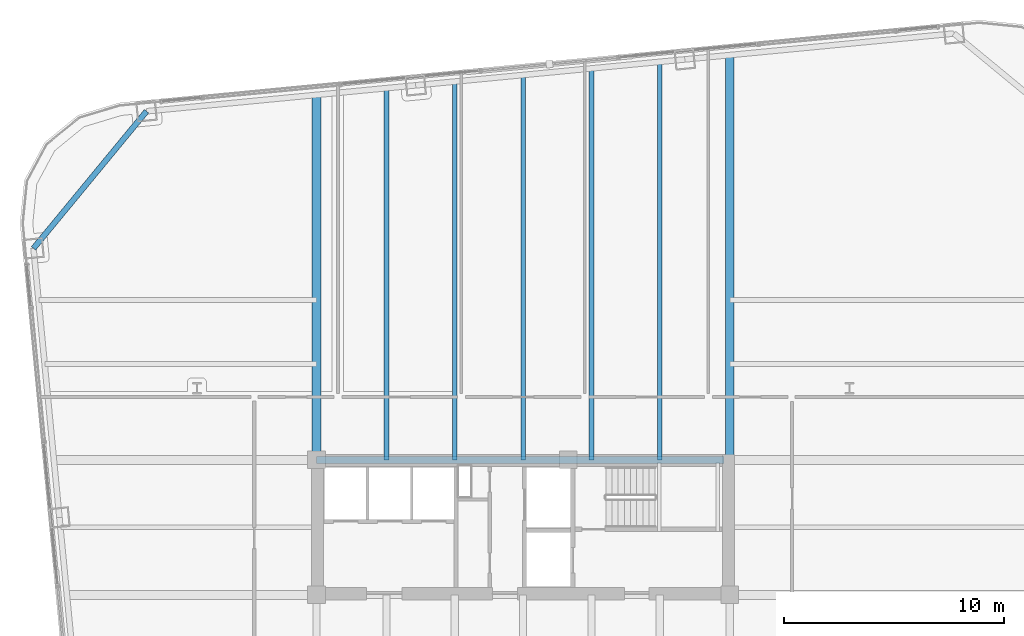
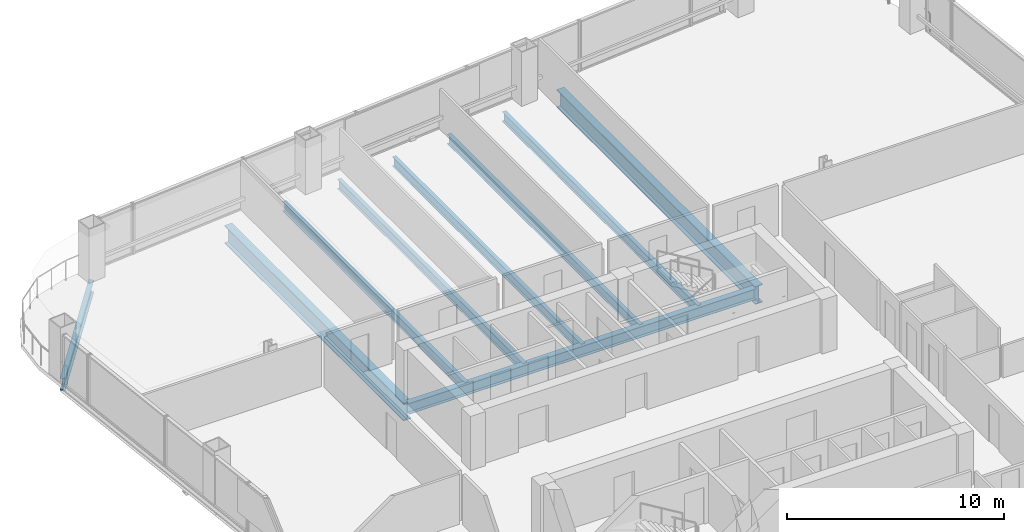
# One storey, part 21 of 34: 9 beams.
"""IFC4 building model written with IfcOpenShell, lengths in metres."""

import ifcopenshell
import ifcopenshell.guid

model = None  # the IFC model being written
_history = None  # IfcOwnerHistory: only IFC2X3 demands one
_inside = {}  # id of a spatial element -> (the spatial element, [elements in it])
_under = {}  # id of a project, library or spatial element -> (it, [spatial elements below it])
_declared = {}  # id of a project -> (the project, [libraries it declares])
_typed = {}  # id of a type object -> (the type object, [elements of that type])
_made_of = {}  # id of a material, layer set ... -> (it, [elements and type objects made of it])


def new_model(schema):
    """Start an empty IFC model of exactly this schema.

    Asked for "IFC4X3", IfcOpenShell would pick the latest addendum, in which some entities
    have other attributes; the version numbers below select the first issue.
    IFC2X3 requires an IfcOwnerHistory on every rooted entity: one is made here for all.
    """
    global model, _history
    if schema == "IFC4X3":
        model = ifcopenshell.file(schema_version=(4, 3, 0, 0))
    else:
        model = ifcopenshell.file(schema=schema)
    _inside.clear()
    _under.clear()
    _declared.clear()
    _typed.clear()
    _made_of.clear()
    _history = None
    if model.schema == "IFC2X3":
        org = make("IfcOrganization", Name="unknown")
        user = make(
            "IfcPersonAndOrganization",
            ThePerson=make("IfcPerson", FamilyName="unknown"),
            TheOrganization=org,
        )
        app = make(
            "IfcApplication",
            ApplicationDeveloper=org,
            Version="unknown",
            ApplicationFullName="unknown",
            ApplicationIdentifier="unknown",
        )
        _history = make(
            "IfcOwnerHistory",
            OwningUser=user,
            OwningApplication=app,
            ChangeAction="ADDED",
            CreationDate=0,
        )
    return model


def make(cls, **values):
    """One entity of the class cls with the attributes given. An attribute that is None is left unset."""
    return model.create_entity(
        cls, **{name: value for name, value in values.items() if value is not None}
    )


def rooted(cls, **values):
    """An entity with a GlobalId (a new one), such as an element, a storey or a relation."""
    return make(cls, GlobalId=ifcopenshell.guid.new(), OwnerHistory=_history, **values)


def si_unit(unit_type, name, prefix=None):
    """IfcSIUnit, for example si_unit("LENGTHUNIT", "METRE", prefix="MILLI")."""
    return make("IfcSIUnit", UnitType=unit_type, Prefix=prefix, Name=name)


def assignment(units):
    """IfcUnitAssignment: the units of a project."""
    return None if units is None else make("IfcUnitAssignment", Units=units)


def point(xyz):
    """IfcCartesianPoint."""
    return None if xyz is None else make("IfcCartesianPoint", Coordinates=xyz)


def direction(xyz):
    """IfcDirection."""
    return None if xyz is None else make("IfcDirection", DirectionRatios=xyz)


def frame(location, z_axis=None, x_axis=None):
    """IfcAxis2Placement3D, a coordinate frame: its origin and axes. An axis left out is left unset."""
    return make(
        "IfcAxis2Placement3D",
        Location=point(location),
        Axis=direction(z_axis),
        RefDirection=direction(x_axis),
    )


def frame_2d(location, x_axis=None):
    """IfcAxis2Placement2D, a coordinate frame in the plane: its origin and x axis."""
    return make(
        "IfcAxis2Placement2D", Location=point(location), RefDirection=direction(x_axis)
    )


def origin():
    """The frame at (0, 0, 0) with its axes left unset."""
    return frame((0.0, 0.0, 0.0))


def origin_2d():
    """The frame at (0, 0) in the plane with its x axis left unset."""
    return frame_2d((0.0, 0.0))


def place(relative_to, where):
    """IfcLocalPlacement: puts the frame where relative to a parent placement (None: the world)."""
    return make(
        "IfcLocalPlacement", PlacementRelTo=relative_to, RelativePlacement=where
    )


def context(
    kind, dimensions, precision=None, world=None, true_north=None, identifier=None
):
    """IfcGeometricRepresentationContext, for example the 3D "Model" context."""
    return make(
        "IfcGeometricRepresentationContext",
        ContextIdentifier=identifier,
        ContextType=kind,
        CoordinateSpaceDimension=dimensions,
        Precision=precision,
        WorldCoordinateSystem=world,
        TrueNorth=true_north,
    )


def subcontext(parent, identifier, kind, view, scale=None):
    """IfcGeometricRepresentationSubContext, for example "Body" below "Model"."""
    return make(
        "IfcGeometricRepresentationSubContext",
        ContextIdentifier=identifier,
        ContextType=kind,
        ParentContext=parent,
        TargetScale=scale,
        TargetView=view,
    )


def project(units=None, contexts=None):
    """IfcProject with its units and contexts."""
    return rooted(
        "IfcProject",
        Name="project",
        RepresentationContexts=contexts,
        UnitsInContext=assignment(units),
    )


def spatial(cls, under=None, at=None, **own):
    """A site, building, storey or space (cls), placed at a placement, below another one or the project."""
    s = rooted(cls, ObjectPlacement=at, **own)
    if under is not None:
        _under.setdefault(under.id(), (under, []))[1].append(s)
    return s


def profile(cls, at=None, kind="AREA", **sizes):
    """A parametric profile (cls). Its sizes go by their IFC names, for example OverallWidth=200.0."""
    return make(cls, ProfileType=kind, Position=at, **sizes)


def i_section(**sizes):
    """IfcIShapeProfileDef."""
    return profile("IfcIShapeProfileDef", **sizes)


def extrude(swept, where, along, depth):
    """IfcExtrudedAreaSolid: the profile swept, set in the frame where, extruded along a direction by depth."""
    return make(
        "IfcExtrudedAreaSolid",
        SweptArea=swept,
        Position=where,
        ExtrudedDirection=direction(along),
        Depth=depth,
    )


def shape(context_of_items, identifier, shape_type, items):
    """IfcShapeRepresentation: the items that make up one representation, for example the "Body"."""
    return make(
        "IfcShapeRepresentation",
        ContextOfItems=context_of_items,
        RepresentationIdentifier=identifier,
        RepresentationType=shape_type,
        Items=items,
    )


def material(Name=None, Category=None):
    """IfcMaterial."""
    return make("IfcMaterial", Name=Name, Category=Category)


def material_profile(
    of_material, cross_section, Name=None, Category=None, Priority=None
):
    """IfcMaterialProfile: a cross section and its material."""
    return make(
        "IfcMaterialProfile",
        Name=Name,
        Material=of_material,
        Profile=cross_section,
        Priority=Priority,
        Category=Category,
    )


def profile_set(profiles, Name=None, composite=None):
    """IfcMaterialProfileSet."""
    return make(
        "IfcMaterialProfileSet",
        Name=Name,
        MaterialProfiles=profiles,
        CompositeProfile=composite,
    )


def made_of(thing, what):
    """Note that an element or type object is made of a material, layer set ...; save() writes the relation."""
    if what is not None:
        _made_of.setdefault(what.id(), (what, []))[1].append(thing)
    return thing


def type_object(cls, material=None, **own):
    """A type object (cls), such as IfcWallType, which elements share."""
    return made_of(rooted(cls, **own), material)


def element(
    cls,
    number,
    at=None,
    inside=None,
    cuts=None,
    type_object=None,
    material=None,
    context=None,
    identifier="Body",
    shape_type=None,
    held_by="IfcProductDefinitionShape",
    body=None,
    shapes=None,
    **own,
):
    """One element of the class cls, such as IfcWall. Its Tag is "e" and its number.

    at: its placement. inside: the storey or other place that contains it. cuts: it is an
    opening in that element (IfcRelVoidsElement). A single representation is given by context,
    identifier, shape_type and body (its items); several are given by shapes. held_by: the class
    of the entity that holds the representations. save() writes the other relations.
    """
    e = rooted(cls, Tag="e%d" % number, ObjectPlacement=at, **own)
    if body is not None:
        shapes = [shape(context, identifier, shape_type, body)]
    if shapes is not None:
        e.Representation = make(held_by, Representations=shapes)
    if inside is not None:
        _inside.setdefault(inside.id(), (inside, []))[1].append(e)
    if cuts is not None:
        rooted(
            "IfcRelVoidsElement", RelatingBuildingElement=cuts, RelatedOpeningElement=e
        )
    if type_object is not None:
        _typed.setdefault(type_object.id(), (type_object, []))[1].append(e)
    return made_of(e, material)


def aggregate(whole, parts):
    """IfcRelAggregates: a whole, such as a stair, and the parts it consists of."""
    return rooted("IfcRelAggregates", RelatingObject=whole, RelatedObjects=parts)


def save(model, path):
    """Write the relations noted so far, then the file.

    IfcRelAggregates (storeys below a building ...), IfcRelContainedInSpatialStructure (elements
    in a storey), IfcRelDefinesByType, IfcRelAssociatesMaterial and IfcRelDeclares: one each for
    every whole, place, type object, material and project.
    """
    for whole, parts in _under.values():
        aggregate(whole, parts)
    for where, things in _inside.values():
        rooted(
            "IfcRelContainedInSpatialStructure",
            RelatedElements=things,
            RelatingStructure=where,
        )
    for kind, things in _typed.values():
        rooted("IfcRelDefinesByType", RelatedObjects=things, RelatingType=kind)
    for what, things in _made_of.values():
        rooted("IfcRelAssociatesMaterial", RelatedObjects=things, RelatingMaterial=what)
    for by, libraries in _declared.values():
        rooted("IfcRelDeclares", RelatingContext=by, RelatedDefinitions=libraries)
    model.write(path)


model = new_model("IFC4")

# Units and contexts
model_context = context("Model", 3, precision=1e-05, world=origin(), true_north=direction((0.0, 1.0)))
body_context = subcontext(model_context, "Body", "Model", "MODEL_VIEW")
ifc_project = project(units=[si_unit("LENGTHUNIT", "METRE"), si_unit("AREAUNIT", "SQUARE_METRE"), si_unit("VOLUMEUNIT", "CUBIC_METRE"), si_unit("PLANEANGLEUNIT", "RADIAN"), si_unit("MASSUNIT", "GRAM", prefix="KILO")], contexts=[model_context])

# Site, building, storey
site_placement = place(None, origin())
site = spatial("IfcSite", under=ifc_project, at=site_placement, CompositionType="ELEMENT")
building_placement = place(site_placement, origin())
building = spatial("IfcBuilding", under=site, at=building_placement, Name="Qhalaya Broadcast Tower", CompositionType="ELEMENT")
storey_placement = place(building_placement, frame((0.0, 0.0, 78.60009765625)))
storey = spatial("IfcBuildingStorey", under=building, at=storey_placement, Name="L22", CompositionType="ELEMENT", Elevation=78.60009765625)

# Beams
ifc_material = material(Name="Structural Steel ASTM A992 Grade 50", Category="steel")
ifc_material_profile_1 = material_profile(ifc_material, i_section(OverallWidth=0.2099609375, OverallDepth=0.535888671875, WebThickness=0.010986328125, FlangeThickness=0.017333984375, at=origin_2d()), Name="W21X68")
ifc_profile_set_1 = profile_set([ifc_material_profile_1], Name="Structural Steel ASTM A992 Grade 50")
beam_type_1 = type_object("IfcBeamType", Name="Composite Floor Joist J02", PredefinedType="JOIST", material=ifc_profile_set_1)
beam_1_placement = place(storey_placement, frame((-6.199951171875, 9.949951171875, -0.488037109375), z_axis=(0.0, 1.0, 0.0), x_axis=(-1.0, 0.0, 0.0)))
element("IfcBeam", 1, at=beam_1_placement, inside=storey, type_object=beam_type_1, Name="L22 J02 L22-JNN1-1", PredefinedType="JOIST", context=body_context, shape_type="SweptSolid", body=[
    extrude(i_section(OverallWidth=0.2099609375, OverallDepth=0.535888671875, WebThickness=0.010986328125, FlangeThickness=0.017333984375, at=origin_2d()), origin(), (0.0, 0.0, 1.0), 16.843505859375),
])
beam_2_placement = place(storey_placement, frame((-3.10009765625, 9.949951171875, -0.488037109375), z_axis=(0.0, 1.0, 0.0), x_axis=(-1.0, 0.0, 0.0)))
element("IfcBeam", 2, at=beam_2_placement, inside=storey, type_object=beam_type_1, Name="L22 J02 L22-JNN2-1", PredefinedType="JOIST", context=body_context, shape_type="SweptSolid", body=[
    extrude(i_section(OverallWidth=0.2099609375, OverallDepth=0.535888671875, WebThickness=0.010986328125, FlangeThickness=0.017333984375, at=origin_2d()), origin(), (0.0, 0.0, 1.0), 17.14208984375),
])
beam_3_placement = place(storey_placement, frame((0.0, 9.949951171875, -0.488037109375), z_axis=(0.0, 1.0, 0.0), x_axis=(-1.0, 0.0, 0.0)))
element("IfcBeam", 3, at=beam_3_placement, inside=storey, type_object=beam_type_1, Name="L22 J02 L22-JNN3-1", PredefinedType="JOIST", context=body_context, shape_type="SweptSolid", body=[
    extrude(i_section(OverallWidth=0.2099609375, OverallDepth=0.535888671875, WebThickness=0.010986328125, FlangeThickness=0.017333984375, at=origin_2d()), origin(), (0.0, 0.0, 1.0), 17.4404296875),
])
beam_4_placement = place(storey_placement, frame((3.10009765625, 9.949951171875, -0.488037109375), z_axis=(0.0, 1.0, 0.0), x_axis=(-1.0, 0.0, 0.0)))
element("IfcBeam", 4, at=beam_4_placement, inside=storey, type_object=beam_type_1, Name="L22 J02 L22-JNN4-1", PredefinedType="JOIST", context=body_context, shape_type="SweptSolid", body=[
    extrude(i_section(OverallWidth=0.2099609375, OverallDepth=0.535888671875, WebThickness=0.010986328125, FlangeThickness=0.017333984375, at=origin_2d()), origin(), (0.0, 0.0, 1.0), 17.739013671875),
])
beam_5_placement = place(storey_placement, frame((6.199951171875, 9.949951171875, -0.488037109375), z_axis=(0.0, 1.0, 0.0), x_axis=(-1.0, 0.0, 0.0)))
element("IfcBeam", 5, at=beam_5_placement, inside=storey, type_object=beam_type_1, Name="L22 J02 L22-JNN5-1", PredefinedType="JOIST", context=body_context, shape_type="SweptSolid", body=[
    extrude(i_section(OverallWidth=0.2099609375, OverallDepth=0.535888671875, WebThickness=0.010986328125, FlangeThickness=0.017333984375, at=origin_2d()), origin(), (0.0, 0.0, 1.0), 18.03759765625),
])
ifc_material_profile_2 = material_profile(ifc_material, i_section(OverallWidth=0.323974609375, OverallDepth=0.612060546875, WebThickness=0.0126953125, FlangeThickness=0.01904296875, at=origin_2d()), Name="W24X104")
ifc_profile_set_2 = profile_set([ifc_material_profile_2], Name="Structural Steel ASTM A992 Grade 50")
beam_type_2 = type_object("IfcBeamType", Name="Core Frame Tie Beam B04", PredefinedType="BEAM", material=ifc_profile_set_2)
beam_6_placement = place(storey_placement, frame((-9.375, 9.949951171875, -0.526123046875), z_axis=(1.0, 0.0, 0.0), x_axis=(0.0, 1.0, 0.0)))
element("IfcBeam", 6, at=beam_6_placement, inside=storey, type_object=beam_type_2, Name="L22 B04 L22-CCN3", PredefinedType="BEAM", context=body_context, shape_type="SweptSolid", body=[
    extrude(i_section(OverallWidth=0.323974609375, OverallDepth=0.612060546875, WebThickness=0.0126953125, FlangeThickness=0.01904296875, at=origin_2d()), origin(), (0.0, 0.0, 1.0), 18.4951171875),
])
ifc_material_profile_3 = material_profile(ifc_material, i_section(OverallWidth=0.40087890625, OverallDepth=1.010986328125, WebThickness=0.023681640625, FlangeThickness=0.0419921875, at=origin_2d()), Name="W40X297")
ifc_profile_set_3 = profile_set([ifc_material_profile_3], Name="Structural Steel ASTM A992 Grade 50")
beam_type_3 = type_object("IfcBeamType", Name="Lower Block Primary Girder PG2", PredefinedType="USERDEFINED", material=ifc_profile_set_3)
beam_7_placement = place(storey_placement, frame((-9.375, 9.949951171875, -0.7255859375), z_axis=(0.0, 1.0, 0.0), x_axis=(-1.0, 0.0, 0.0)))
element("IfcBeam", 7, at=beam_7_placement, inside=storey, type_object=beam_type_3, Name="L22 PG2 L22-PGXN1-1", ObjectType="GIRDER", PredefinedType="USERDEFINED", context=body_context, shape_type="SweptSolid", body=[
    extrude(i_section(OverallWidth=0.40087890625, OverallDepth=1.010986328125, WebThickness=0.023681640625, FlangeThickness=0.0419921875, at=origin_2d()), origin(), (0.0, 0.0, 1.0), 16.537841796875),
])
beam_8_placement = place(storey_placement, frame((9.375, 9.949951171875, -0.7255859375), z_axis=(0.0, 1.0, 0.0), x_axis=(-1.0, 0.0, 0.0)))
element("IfcBeam", 8, at=beam_8_placement, inside=storey, type_object=beam_type_3, Name="L22 PG2 L22-PGXN2-1", ObjectType="GIRDER", PredefinedType="USERDEFINED", context=body_context, shape_type="SweptSolid", body=[
    extrude(i_section(OverallWidth=0.40087890625, OverallDepth=1.010986328125, WebThickness=0.023681640625, FlangeThickness=0.0419921875, at=origin_2d()), origin(), (0.0, 0.0, 1.0), 18.34326171875),
])
ifc_material_profile_4 = material_profile(ifc_material, i_section(OverallWidth=0.25390625, OverallDepth=0.68310546875, WebThickness=0.012451171875, FlangeThickness=0.01904296875, at=origin_2d()), Name="W27X94")
ifc_profile_set_4 = profile_set([ifc_material_profile_4], Name="Structural Steel ASTM A992 Grade 50")
beam_type_4 = type_object("IfcBeamType", Name="Perimeter Ring Spandrel Beam SP1", PredefinedType="SPANDREL", material=ifc_profile_set_4)
beam_9_placement = place(storey_placement, frame((-17.085205078125, 25.765380859375, -0.5615234375), z_axis=(-0.636085107008, -0.771618906354, 0.0), x_axis=(0.771618906354, -0.636085107008, 0.0)))
element("IfcBeam", 9, at=beam_9_placement, inside=storey, type_object=beam_type_4, Name="L22 SP1 L22-SPR-12", PredefinedType="SPANDREL", context=body_context, shape_type="SweptSolid", body=[
    extrude(i_section(OverallWidth=0.25390625, OverallDepth=0.68310546875, WebThickness=0.012451171875, FlangeThickness=0.01904296875, at=origin_2d()), origin(), (0.0, 0.0, 1.0), 8.06103515625),
])

save(model, "model.ifc")
